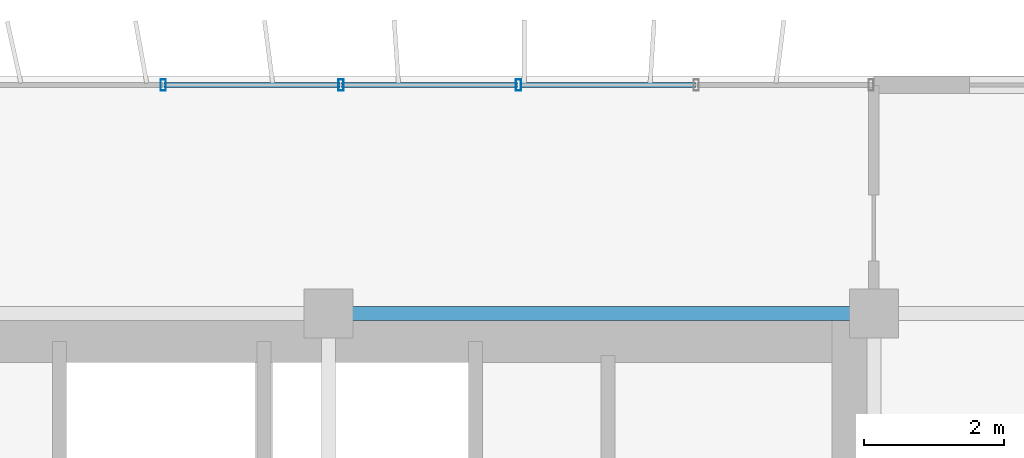
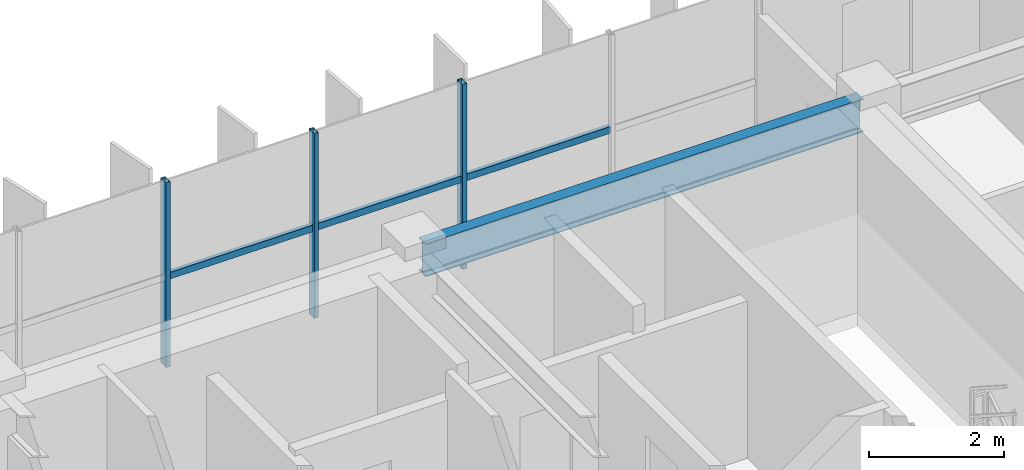
# One storey, part 10 of 22: 6 members, 1 beam, 1 element without a shape of its own.
"""IFC4 building model written with IfcOpenShell, lengths in metres."""

from ifc_helpers import new_model, si_unit, direction, frame, origin, origin_2d, place, context, subcontext, project, spatial, hollow_rectangle, i_section, extrude, source, transform, mapped, material, material_profile, profile_set, type_object, element, aggregate, save


model = new_model("IFC4")

# Units and contexts
model_context = context("Model", 3, precision=1e-05, world=origin(), true_north=direction((0.0, 1.0)))
body_context = subcontext(model_context, "Body", "Model", "MODEL_VIEW")
ifc_project = project(units=[si_unit("LENGTHUNIT", "METRE"), si_unit("AREAUNIT", "SQUARE_METRE"), si_unit("VOLUMEUNIT", "CUBIC_METRE"), si_unit("PLANEANGLEUNIT", "RADIAN"), si_unit("MASSUNIT", "GRAM", prefix="KILO")], contexts=[model_context])

# Site, building, storey
site_placement = place(None, origin())
site = spatial("IfcSite", under=ifc_project, at=site_placement, CompositionType="ELEMENT")
building_placement = place(site_placement, origin())
building = spatial("IfcBuilding", under=site, at=building_placement, Name="Trelvane Seafront Commons", CompositionType="ELEMENT")
storey_placement = place(building_placement, frame((0.0, 0.0, 139.300048828125)))
storey = spatial("IfcBuildingStorey", under=building, at=storey_placement, Name="L36", CompositionType="ELEMENT", Elevation=139.300048828125)

# Beam
ifc_material_1 = material(Name="Steel SM355 (S355)", Category="steel")
ifc_material_profile_1 = material_profile(ifc_material_1, i_section(OverallWidth=0.199951171875, OverallDepth=0.60009765625, WebThickness=0.010986328125, FlangeThickness=0.01708984375, at=origin_2d()), Name="H-600x200x11x17")
ifc_profile_set_1 = profile_set([ifc_material_profile_1], Name="Steel SM355 (S355)")
beam_type = type_object("IfcBeamType", Name="STR-SPD-H600", PredefinedType="SPANDREL", material=ifc_profile_set_1)
shared_shape_1 = source(origin(), body_context, "Body", "SweptSolid", [
    extrude(i_section(OverallWidth=0.199951171875, OverallDepth=0.60009765625, WebThickness=0.010986328125, FlangeThickness=0.01708984375, at=origin_2d()), origin(), (0.0, 0.0, 1.0), 7.5),
])
beam_placement = place(storey_placement, frame((51.14990234375, 45.10009765625, 3.050048828125), z_axis=(1.0, 0.0, 0.0), x_axis=(0.0, 1.0, 0.0)))
element("IfcBeam", 1, at=beam_placement, inside=storey, type_object=beam_type, Name="L36 Primary Girder G-27", PredefinedType="SPANDREL", context=body_context, shape_type="MappedRepresentation", body=[
    mapped(shared_shape_1, transform((0.0, 0.0, 0.0), x_axis=(1.0, 0.0, 0.0), y_axis=(0.0, 1.0, 0.0), z_axis=(0.0, 0.0, 1.0), scale=1.0)),
])

# Curtain wall, members
ifc_material_2 = material(Name="Anodised pale-silver aluminium", Category="aluminium")
curtain_wall_type = type_object("IfcCurtainWallType", Name="ARCH-CW5-UPTOWER", PredefinedType="NOTDEFINED", material=ifc_material_2)
curtain_wall_placement = place(storey_placement, origin())
curtain_wall = element("IfcCurtainWall", 2, at=curtain_wall_placement, inside=storey, type_object=curtain_wall_type, Name="CW-L36-0063", PredefinedType="NOTDEFINED")
ifc_material_profile_2 = material_profile(ifc_material_2, hollow_rectangle(XDim=0.070068359375, YDim=0.1201171875, WallThickness=0.00390625, at=origin_2d()), Name="TRAN-70x120x4")
ifc_profile_set_2 = profile_set([ifc_material_profile_2], Name="Anodised pale-silver aluminium")
member_type_1 = type_object("IfcMemberType", Name="ARCH-CW-TRAN-120", PredefinedType="USERDEFINED", material=ifc_profile_set_2)
shared_shape_2 = source(origin(), body_context, "Body", "SweptSolid", [
    extrude(hollow_rectangle(XDim=0.070068359375, YDim=0.1201171875, WallThickness=0.00390625, at=origin_2d()), origin(), (0.0, 0.0, 1.0), 2.51708984375),
])
member_1_placement = place(storey_placement, frame((51.1884765625, 48.3701171875, 1.60791015625), z_axis=(1.0, 0.0, 0.0), x_axis=(0.0, 1.0, 0.0)))
member_1 = element("IfcMember", 3, at=member_1_placement, type_object=member_type_1, Name="CW-L36-0063-T14", ObjectType="TRANSOM", PredefinedType="USERDEFINED", context=body_context, shape_type="MappedRepresentation", body=[
    mapped(shared_shape_2, transform((0.0, 0.0, 0.0), x_axis=(1.0, 0.0, 0.0), y_axis=(0.0, 1.0, 0.0), z_axis=(0.0, 0.0, 1.0), scale=1.0)),
])
shared_shape_3 = source(origin(), body_context, "Body", "SweptSolid", [
    extrude(hollow_rectangle(XDim=0.070068359375, YDim=0.1201171875, WallThickness=0.00390625, at=origin_2d()), origin(), (0.0, 0.0, 1.0), 2.517333984375),
])
member_2_placement = place(storey_placement, frame((48.647216796875, 48.3701171875, 1.60791015625), z_axis=(1.0, 0.0, 0.0), x_axis=(0.0, 1.0, 0.0)))
member_2 = element("IfcMember", 4, at=member_2_placement, type_object=member_type_1, Name="CW-L36-0063-T13", ObjectType="TRANSOM", PredefinedType="USERDEFINED", context=body_context, shape_type="MappedRepresentation", body=[
    mapped(shared_shape_3, transform((0.0, 0.0, 0.0), x_axis=(1.0, 0.0, 0.0), y_axis=(0.0, 1.0, 0.0), z_axis=(0.0, 0.0, 1.0), scale=1.0)),
])
member_3_placement = place(storey_placement, frame((53.7294921875, 48.3701171875, 1.60791015625), z_axis=(1.0, 0.0, 0.0), x_axis=(0.0, 1.0, 0.0)))
member_3 = element("IfcMember", 5, at=member_3_placement, type_object=member_type_1, Name="CW-L36-0063-T15", ObjectType="TRANSOM", PredefinedType="USERDEFINED", context=body_context, shape_type="MappedRepresentation", body=[
    mapped(shared_shape_3, transform((0.0, 0.0, 0.0), x_axis=(1.0, 0.0, 0.0), y_axis=(0.0, 1.0, 0.0), z_axis=(0.0, 0.0, 1.0), scale=1.0)),
])
ifc_material_profile_3 = material_profile(ifc_material_2, hollow_rectangle(XDim=0.074951171875, YDim=0.159912109375, WallThickness=0.00390625, at=origin_2d()), Name="MULL-75x160x4")
ifc_profile_set_3 = profile_set([ifc_material_profile_3], Name="Anodised pale-silver aluminium")
member_type_2 = type_object("IfcMemberType", Name="ARCH-CW-MULL-160", PredefinedType="MULLION", material=ifc_profile_set_3)
shared_shape_4 = source(origin(), body_context, "Body", "SweptSolid", [
    extrude(hollow_rectangle(XDim=0.074951171875, YDim=0.159912109375, WallThickness=0.00390625, at=origin_2d()), origin(), (0.0, 0.0, 1.0), 3.349853515625),
])
member_4_placement = place(storey_placement, frame((48.63525390625, 48.3701171875, 0.0), z_axis=(0.0, 0.0, 1.0), x_axis=(1.0, 0.0, 0.0)))
member_4 = element("IfcMember", 6, at=member_4_placement, type_object=member_type_2, Name="CW-L36-0063-M13", PredefinedType="MULLION", context=body_context, shape_type="MappedRepresentation", body=[
    mapped(shared_shape_4, transform((0.0, 0.0, 0.0), x_axis=(1.0, 0.0, 0.0), y_axis=(0.0, 1.0, 0.0), z_axis=(0.0, 0.0, 1.0), scale=1.0)),
])
member_5_placement = place(storey_placement, frame((51.176513671875, 48.3701171875, 0.0), z_axis=(0.0, 0.0, 1.0), x_axis=(1.0, 0.0, 0.0)))
member_5 = element("IfcMember", 7, at=member_5_placement, type_object=member_type_2, Name="CW-L36-0063-M14", PredefinedType="MULLION", context=body_context, shape_type="MappedRepresentation", body=[
    mapped(shared_shape_4, transform((0.0, 0.0, 0.0), x_axis=(1.0, 0.0, 0.0), y_axis=(0.0, 1.0, 0.0), z_axis=(0.0, 0.0, 1.0), scale=1.0)),
])
member_6_placement = place(storey_placement, frame((53.717529296875, 48.3701171875, 0.0), z_axis=(0.0, 0.0, 1.0), x_axis=(1.0, 0.0, 0.0)))
member_6 = element("IfcMember", 8, at=member_6_placement, type_object=member_type_2, Name="CW-L36-0063-M15", PredefinedType="MULLION", context=body_context, shape_type="MappedRepresentation", body=[
    mapped(shared_shape_4, transform((0.0, 0.0, 0.0), x_axis=(1.0, 0.0, 0.0), y_axis=(0.0, 1.0, 0.0), z_axis=(0.0, 0.0, 1.0), scale=1.0)),
])
aggregate(curtain_wall, [member_4, member_5, member_6, member_2, member_1, member_3])

save(model, "model.ifc")
